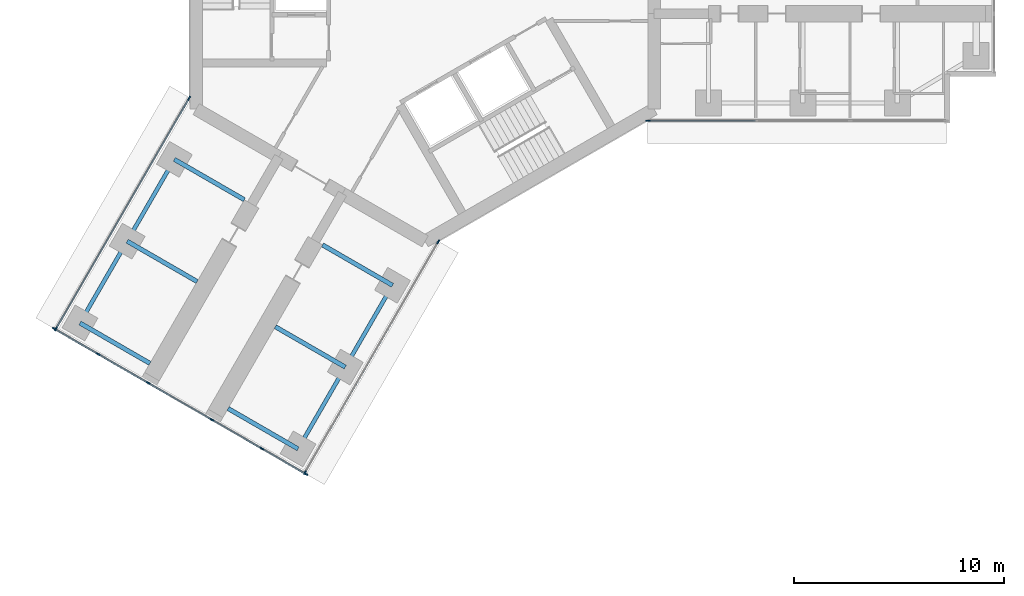
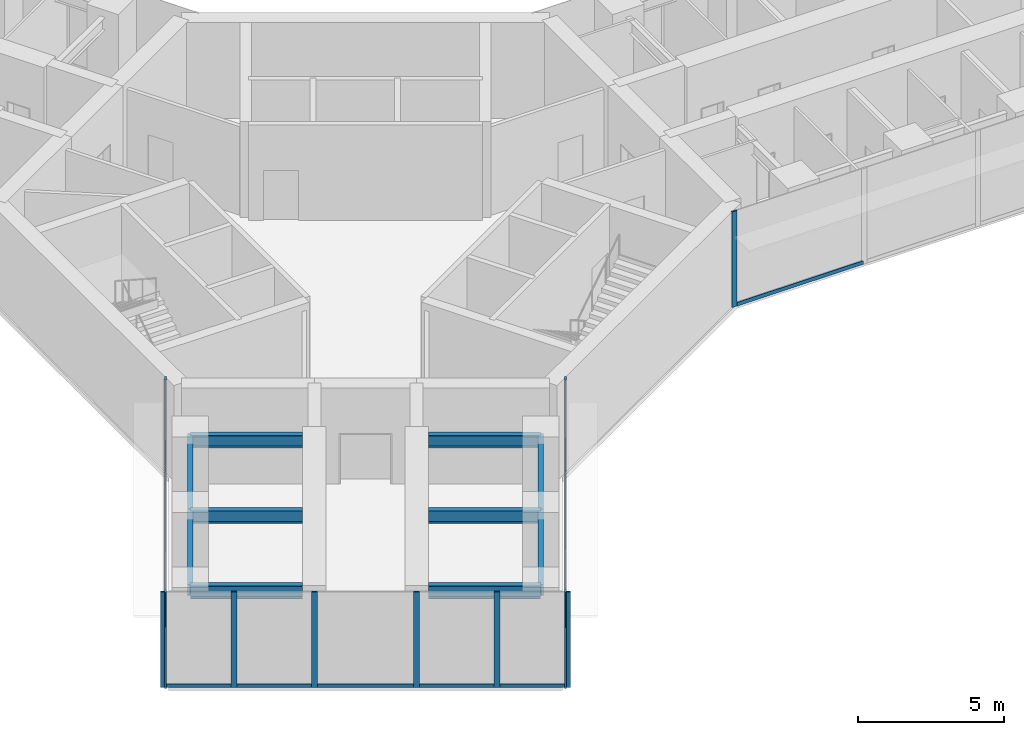
# One storey, part 2 of 23: 19 members, 10 beams, 4 elements without a shape of their own.
"""IFC4 building model written with IfcOpenShell, lengths in metres."""

from ifc_helpers import new_model, si_unit, direction, frame, origin, origin_2d, place, context, subcontext, project, spatial, rectangle, i_section, extrude, material, material_profile, profile_set, type_object, element, aggregate, save


model = new_model("IFC4")

# Units and contexts
model_context = context("Model", 3, precision=1e-05, world=origin(), true_north=direction((0.0, 1.0)))
body_context = subcontext(model_context, "Body", "Model", "MODEL_VIEW")
ifc_project = project(units=[si_unit("LENGTHUNIT", "METRE"), si_unit("AREAUNIT", "SQUARE_METRE"), si_unit("VOLUMEUNIT", "CUBIC_METRE"), si_unit("PLANEANGLEUNIT", "RADIAN"), si_unit("MASSUNIT", "GRAM", prefix="KILO")], contexts=[model_context])

# Site, building, storey
site_placement = place(None, origin())
site = spatial("IfcSite", under=ifc_project, at=site_placement, CompositionType="ELEMENT")
building_placement = place(site_placement, origin())
building = spatial("IfcBuilding", under=site, at=building_placement, Name="Upepo Twin Towers", CompositionType="ELEMENT")
storey_placement = place(building_placement, frame((0.0, 0.0, 161.5)))
storey = spatial("IfcBuildingStorey", under=building, at=storey_placement, Name="L39", CompositionType="ELEMENT", Elevation=161.5)

# Beams
ifc_material_1 = material(Name="Steel S355", Category="steel")
ifc_material_profile_1 = material_profile(ifc_material_1, i_section(OverallWidth=0.1904296875, OverallDepth=0.45703125, WebThickness=0.009033203125, FlangeThickness=0.014404296875, FilletRadius=0.01025390625, at=origin_2d()), Name="UB 457x191x74")
ifc_profile_set_1 = profile_set([ifc_material_profile_1], Name="Steel S355")
beam_type_1 = type_object("IfcBeamType", Name="Beam UB 457x191x74", PredefinedType="BEAM", material=ifc_profile_set_1)
beam_1_placement = place(storey_placement, frame((-1.553955078125, -14.69140625, 3.471435546875), z_axis=(-0.500013631625, -0.866017533419, 0.0), x_axis=(0.866017533419, -0.500013631625, 0.0)))
element("IfcBeam", 1, at=beam_1_placement, inside=storey, type_object=beam_type_1, Name="T1 edge beam CL 13.5-18.0", PredefinedType="BEAM", context=body_context, shape_type="SweptSolid", body=[
    extrude(i_section(OverallWidth=0.1904296875, OverallDepth=0.45703125, WebThickness=0.009033203125, FlangeThickness=0.014404296875, FilletRadius=0.01025390625, at=origin_2d()), origin(), (0.0, 0.0, 1.0), 4.499755859375),
])
beam_2_placement = place(storey_placement, frame((-3.803955078125, -18.58837890625, 3.471435546875), z_axis=(-0.499990139034, -0.866031096941, 0.0), x_axis=(0.866031096941, -0.499990139034, 0.0)))
element("IfcBeam", 2, at=beam_2_placement, inside=storey, type_object=beam_type_1, Name="T1 edge beam CL 18.0-22.5", PredefinedType="BEAM", context=body_context, shape_type="SweptSolid", body=[
    extrude(i_section(OverallWidth=0.1904296875, OverallDepth=0.45703125, WebThickness=0.009033203125, FlangeThickness=0.014404296875, FilletRadius=0.01025390625, at=origin_2d()), origin(), (0.0, 0.0, 1.0), 4.5),
])
beam_3_placement = place(storey_placement, frame((-11.946044921875, -8.69140625, 3.471435546875), z_axis=(-0.500013631625, -0.866017533419, 0.0), x_axis=(0.866017533419, -0.500013631625, 0.0)))
element("IfcBeam", 3, at=beam_3_placement, inside=storey, type_object=beam_type_1, Name="T1 edge beam CR 13.5-18.0", PredefinedType="BEAM", context=body_context, shape_type="SweptSolid", body=[
    extrude(i_section(OverallWidth=0.1904296875, OverallDepth=0.45703125, WebThickness=0.009033203125, FlangeThickness=0.014404296875, FilletRadius=0.01025390625, at=origin_2d()), origin(), (0.0, 0.0, 1.0), 4.499755859375),
])
beam_4_placement = place(storey_placement, frame((-14.196044921875, -12.58837890625, 3.471435546875), z_axis=(-0.499990139034, -0.866031096941, 0.0), x_axis=(0.866031096941, -0.499990139034, 0.0)))
element("IfcBeam", 4, at=beam_4_placement, inside=storey, type_object=beam_type_1, Name="T1 edge beam CR 18.0-22.5", PredefinedType="BEAM", context=body_context, shape_type="SweptSolid", body=[
    extrude(i_section(OverallWidth=0.1904296875, OverallDepth=0.45703125, WebThickness=0.009033203125, FlangeThickness=0.014404296875, FilletRadius=0.01025390625, at=origin_2d()), origin(), (0.0, 0.0, 1.0), 4.5),
])
ifc_material_2 = material(Name="Steel S355", Category="steel")
ifc_material_profile_2 = material_profile(ifc_material_2, i_section(OverallWidth=0.209228515625, OverallDepth=0.533203125, WebThickness=0.010009765625, FlangeThickness=0.015625, FilletRadius=0.0126953125, at=origin_2d()), Name="UB 533x210x92")
ifc_profile_set_2 = profile_set([ifc_material_profile_2], Name="Steel S355")
beam_type_2 = type_object("IfcBeamType", Name="Beam UB 533x210x92", PredefinedType="BEAM", material=ifc_profile_set_2)
beam_5_placement = place(storey_placement, frame((-1.553955078125, -14.69140625, 3.433349609375), z_axis=(-0.866006051527, 0.500033517596, 0.0), x_axis=(-0.500033517596, -0.866006051527, 0.0)))
element("IfcBeam", 5, at=beam_5_placement, inside=storey, type_object=beam_type_2, Name="T1 girder CL at 13.5", PredefinedType="BEAM", context=body_context, shape_type="SweptSolid", body=[
    extrude(i_section(OverallWidth=0.209228515625, OverallDepth=0.533203125, WebThickness=0.010009765625, FlangeThickness=0.015625, FilletRadius=0.0126953125, at=origin_2d()), origin(), (0.0, 0.0, 1.0), 3.849853515625),
])
beam_6_placement = place(storey_placement, frame((-3.803955078125, -18.58837890625, 3.433349609375), z_axis=(-0.866033512162, 0.499985955615, 0.0), x_axis=(-0.499985955615, -0.866033512162, 0.0)))
element("IfcBeam", 6, at=beam_6_placement, inside=storey, type_object=beam_type_2, Name="T1 girder CL at 18.0", PredefinedType="BEAM", context=body_context, shape_type="SweptSolid", body=[
    extrude(i_section(OverallWidth=0.209228515625, OverallDepth=0.533203125, WebThickness=0.010009765625, FlangeThickness=0.015625, FilletRadius=0.0126953125, at=origin_2d()), origin(), (0.0, 0.0, 1.0), 3.849609375),
])
for number, where, z_axis, x_axis, name in (
    (7, (-6.053955078125, -22.485595703125, 3.433349609375), (-0.866006051527, 0.500033517596, 0.0), (-0.500033517596, -0.866006051527, 0.0), "T1 girder CL at 22.5"),
    (8, (-11.946044921875, -8.69140625, 3.433349609375), (0.866006051527, -0.500033517596, 0.0), (0.500033517596, 0.866006051527, 0.0), "T1 girder CR at 13.5"),
    (9, (-14.196044921875, -12.58837890625, 3.433349609375), (0.866006051527, -0.500033517596, 0.0), (0.500033517596, 0.866006051527, 0.0), "T1 girder CR at 18.0"),
    (10, (-16.446044921875, -16.485595703125, 3.433349609375), (0.866006051527, -0.500033517596, 0.0), (0.500033517596, 0.866006051527, 0.0), "T1 girder CR at 22.5"),
):
    element("IfcBeam", number, at=place(storey_placement, frame(where, z_axis=z_axis, x_axis=x_axis)), inside=storey, type_object=beam_type_2, Name=name, PredefinedType="BEAM", context=body_context, shape_type="SweptSolid", body=[
        extrude(i_section(OverallWidth=0.209228515625, OverallDepth=0.533203125, WebThickness=0.010009765625, FlangeThickness=0.015625, FilletRadius=0.0126953125, at=origin_2d()), origin(), (0.0, 0.0, 1.0), 3.849853515625),
    ])

# Curtain wall, member
ifc_material_3 = material(Name="Aluminium and fritted glass", Category="aluminium")
curtain_wall_type = type_object("IfcCurtainWallType", Name="Tower curtain wall TW2, fritted glass", PredefinedType="NOTDEFINED", material=ifc_material_3)
curtain_wall_1_placement = place(storey_placement, origin())
curtain_wall_1 = element("IfcCurtainWall", 11, at=curtain_wall_1_placement, inside=storey, type_object=curtain_wall_type, Name="T1 L39 wing A flank R curtain wall", PredefinedType="NOTDEFINED")
ifc_material_4 = material(Name="Aluminium mullion", Category="aluminium")
ifc_material_profile_3 = material_profile(ifc_material_4, rectangle(XDim=0.06494140625, YDim=0.199951171875, at=origin_2d()), Name="MULLION 65x200")
ifc_profile_set_3 = profile_set([ifc_material_profile_3], Name="Aluminium mullion")
member_type_1 = type_object("IfcMemberType", Name="Mullion 65x200 TW2", PredefinedType="MULLION", material=ifc_profile_set_3)
member_1_placement = place(storey_placement, frame((10.61962890625, -6.85009765625, 0.0), z_axis=(0.0, 0.0, 1.0), x_axis=(0.0, -1.0, 0.0)))
member_1 = element("IfcMember", 12, at=member_1_placement, type_object=member_type_1, Name="T1 L39 wing A flank R curtain wall mullion 4", PredefinedType="MULLION", context=body_context, shape_type="SweptSolid", body=[
    extrude(rectangle(XDim=0.06494140625, YDim=0.199951171875, at=origin_2d()), origin(), (0.0, 0.0, 1.0), 4.0),
])

# Curtain wall, members
curtain_wall_2_placement = place(storey_placement, origin())
curtain_wall_2 = element("IfcCurtainWall", 13, at=curtain_wall_2_placement, inside=storey, type_object=curtain_wall_type, Name="T1 L39 wing C flank L curtain wall", PredefinedType="NOTDEFINED")
member_2_placement = place(storey_placement, frame((0.62255859375, -12.621826171875, 0.0), z_axis=(0.0, 0.0, 1.0), x_axis=(0.866025399212, -0.50000000792, 0.0)))
member_2 = element("IfcMember", 14, at=member_2_placement, type_object=member_type_1, Name="T1 L39 wing C flank L curtain wall mullion 1", PredefinedType="MULLION", context=body_context, shape_type="SweptSolid", body=[
    extrude(rectangle(XDim=0.06494140625, YDim=0.199951171875, at=origin_2d()), origin(), (0.0, 0.0, 1.0), 4.0),
])
member_3_placement = place(storey_placement, frame((-5.7265625, -23.61865234375, 0.0), z_axis=(0.0, 0.0, 1.0), x_axis=(0.866025399212, -0.50000000792, 0.0)))
member_3 = element("IfcMember", 15, at=member_3_placement, type_object=member_type_1, Name="T1 L39 wing C flank L curtain wall mullion 2", PredefinedType="MULLION", context=body_context, shape_type="SweptSolid", body=[
    extrude(rectangle(XDim=0.06494140625, YDim=0.199951171875, at=origin_2d()), origin(), (0.0, 0.0, 1.0), 4.0),
])

curtain_wall_3_placement = place(storey_placement, origin())
curtain_wall_3 = element("IfcCurtainWall", 16, at=curtain_wall_3_placement, inside=storey, type_object=curtain_wall_type, Name="T1 L39 wing C flank R curtain wall", PredefinedType="NOTDEFINED")
member_4_placement = place(storey_placement, frame((-17.591064453125, -16.7685546875, 0.0), z_axis=(0.0, 0.0, 1.0), x_axis=(-0.866025399212, 0.50000000792, 0.0)))
member_4 = element("IfcMember", 17, at=member_4_placement, type_object=member_type_1, Name="T1 L39 wing C flank R curtain wall mullion 1", PredefinedType="MULLION", context=body_context, shape_type="SweptSolid", body=[
    extrude(rectangle(XDim=0.06494140625, YDim=0.199951171875, at=origin_2d()), origin(), (0.0, 0.0, 1.0), 4.0),
])
member_5_placement = place(storey_placement, frame((-11.2421875, -5.77197265625, 0.0), z_axis=(0.0, 0.0, 1.0), x_axis=(-0.866025399212, 0.50000000792, 0.0)))
member_5 = element("IfcMember", 18, at=member_5_placement, type_object=member_type_1, Name="T1 L39 wing C flank R curtain wall mullion 2", PredefinedType="MULLION", context=body_context, shape_type="SweptSolid", body=[
    extrude(rectangle(XDim=0.06494140625, YDim=0.199951171875, at=origin_2d()), origin(), (0.0, 0.0, 1.0), 4.0),
])

curtain_wall_4_placement = place(storey_placement, origin())
curtain_wall_4 = element("IfcCurtainWall", 19, at=curtain_wall_4_placement, inside=storey, type_object=curtain_wall_type, Name="T1 L39 wing C nose curtain wall", PredefinedType="NOTDEFINED")
member_6_placement = place(storey_placement, frame((-17.665771484375, -16.762939453125, 0.0), z_axis=(0.0, 0.0, 1.0), x_axis=(0.499999972355, 0.866025419745, 0.0)))
member_6 = element("IfcMember", 20, at=member_6_placement, type_object=member_type_1, Name="T1 L39 wing C nose curtain wall mullion 1", PredefinedType="MULLION", context=body_context, shape_type="SweptSolid", body=[
    extrude(rectangle(XDim=0.06494140625, YDim=0.199951171875, at=origin_2d()), origin(), (0.0, 0.0, 1.0), 4.0),
])
member_7_placement = place(storey_placement, frame((-15.572021484375, -17.9716796875, 0.0), z_axis=(0.0, 0.0, 1.0), x_axis=(0.499999972355, 0.866025419745, 0.0)))
member_7 = element("IfcMember", 21, at=member_7_placement, type_object=member_type_1, Name="T1 L39 wing C nose curtain wall mullion 2", PredefinedType="MULLION", context=body_context, shape_type="SweptSolid", body=[
    extrude(rectangle(XDim=0.06494140625, YDim=0.199951171875, at=origin_2d()), origin(), (0.0, 0.0, 1.0), 4.0),
])
member_8_placement = place(storey_placement, frame((-13.1904296875, -19.3466796875, 0.0), z_axis=(0.0, 0.0, 1.0), x_axis=(0.499999972355, 0.866025419745, 0.0)))
member_8 = element("IfcMember", 22, at=member_8_placement, type_object=member_type_1, Name="T1 L39 wing C nose curtain wall mullion 3", PredefinedType="MULLION", context=body_context, shape_type="SweptSolid", body=[
    extrude(rectangle(XDim=0.06494140625, YDim=0.199951171875, at=origin_2d()), origin(), (0.0, 0.0, 1.0), 4.0),
])
member_9_placement = place(storey_placement, frame((-10.159423828125, -21.0966796875, 0.0), z_axis=(0.0, 0.0, 1.0), x_axis=(0.499999972355, 0.866025419745, 0.0)))
member_9 = element("IfcMember", 23, at=member_9_placement, type_object=member_type_1, Name="T1 L39 wing C nose curtain wall mullion 4", PredefinedType="MULLION", context=body_context, shape_type="SweptSolid", body=[
    extrude(rectangle(XDim=0.06494140625, YDim=0.199951171875, at=origin_2d()), origin(), (0.0, 0.0, 1.0), 4.0),
])
member_10_placement = place(storey_placement, frame((-7.77783203125, -22.4716796875, 0.0), z_axis=(0.0, 0.0, 1.0), x_axis=(0.499999972355, 0.866025419745, 0.0)))
member_10 = element("IfcMember", 24, at=member_10_placement, type_object=member_type_1, Name="T1 L39 wing C nose curtain wall mullion 5", PredefinedType="MULLION", context=body_context, shape_type="SweptSolid", body=[
    extrude(rectangle(XDim=0.06494140625, YDim=0.199951171875, at=origin_2d()), origin(), (0.0, 0.0, 1.0), 4.0),
])
member_11_placement = place(storey_placement, frame((-5.684326171875, -23.680419921875, 0.0), z_axis=(0.0, 0.0, 1.0), x_axis=(0.499999972355, 0.866025419745, 0.0)))
member_11 = element("IfcMember", 25, at=member_11_placement, type_object=member_type_1, Name="T1 L39 wing C nose curtain wall mullion 6", PredefinedType="MULLION", context=body_context, shape_type="SweptSolid", body=[
    extrude(rectangle(XDim=0.06494140625, YDim=0.199951171875, at=origin_2d()), origin(), (0.0, 0.0, 1.0), 4.0),
])

# Member
ifc_material_5 = material(Name="Aluminium transom", Category="aluminium")
ifc_material_profile_4 = material_profile(ifc_material_5, rectangle(XDim=0.06494140625, YDim=0.14990234375, at=origin_2d()), Name="TRANSOM 65x150")
ifc_profile_set_4 = profile_set([ifc_material_profile_4], Name="Aluminium transom")
member_type_2 = type_object("IfcMemberType", Name="Transom 65x150 TW2", PredefinedType="USERDEFINED", material=ifc_profile_set_4)
member_12_placement = place(storey_placement, frame((15.717529296875, -6.85009765625, 0.074951171875), z_axis=(-1.0, 0.0, 0.0), x_axis=(0.0, -1.0, 0.0)))
member_12 = element("IfcMember", 26, at=member_12_placement, type_object=member_type_2, Name="T1 L39 wing A flank R curtain wall transom 3", ObjectType="TRANSOM", PredefinedType="USERDEFINED", context=body_context, shape_type="SweptSolid", body=[
    extrude(rectangle(XDim=0.06494140625, YDim=0.14990234375, at=origin_2d()), origin(), (0.0, 0.0, 1.0), 5.0654296875),
])

aggregate(curtain_wall_1, [member_1, member_12])

member_13_placement = place(storey_placement, frame((0.606201171875, -12.64990234375, 0.074951171875), z_axis=(-0.499996807431, -0.866027247007, 0.0), x_axis=(0.866027247007, -0.499996807431, 0.0)))
member_13 = element("IfcMember", 27, at=member_13_placement, type_object=member_type_2, Name="T1 L39 wing C flank L curtain wall transom 1", ObjectType="TRANSOM", PredefinedType="USERDEFINED", context=body_context, shape_type="SweptSolid", body=[
    extrude(rectangle(XDim=0.06494140625, YDim=0.14990234375, at=origin_2d()), origin(), (0.0, 0.0, 1.0), 12.6328125),
])

aggregate(curtain_wall_2, [member_2, member_3, member_13])

member_14_placement = place(storey_placement, frame((-17.57470703125, -16.740478515625, 0.074951171875), z_axis=(0.499996807431, 0.866027247007, 0.0), x_axis=(-0.866027247007, 0.499996807431, 0.0)))
member_14 = element("IfcMember", 28, at=member_14_placement, type_object=member_type_2, Name="T1 L39 wing C flank R curtain wall transom 1", ObjectType="TRANSOM", PredefinedType="USERDEFINED", context=body_context, shape_type="SweptSolid", body=[
    extrude(rectangle(XDim=0.06494140625, YDim=0.14990234375, at=origin_2d()), origin(), (0.0, 0.0, 1.0), 12.6328125),
])

aggregate(curtain_wall_3, [member_4, member_5, member_14])

member_15_placement = place(storey_placement, frame((-17.6376953125, -16.779296875, 0.074951171875), z_axis=(0.866069800327, -0.499923095048, 0.0), x_axis=(0.499923095048, 0.866069800327, 0.0)))
member_15 = element("IfcMember", 29, at=member_15_placement, type_object=member_type_2, Name="T1 L39 wing C nose curtain wall transom 1", ObjectType="TRANSOM", PredefinedType="USERDEFINED", context=body_context, shape_type="SweptSolid", body=[
    extrude(rectangle(XDim=0.06494140625, YDim=0.14990234375, at=origin_2d()), origin(), (0.0, 0.0, 1.0), 2.352294921875),
])

member_16_placement = place(storey_placement, frame((-15.5439453125, -17.988037109375, 0.074951171875), z_axis=(0.8660523339, -0.49995335277, 0.0), x_axis=(0.49995335277, 0.8660523339, 0.0)))
member_16 = element("IfcMember", 30, at=member_16_placement, type_object=member_type_2, Name="T1 L39 wing C nose curtain wall transom 2", ObjectType="TRANSOM", PredefinedType="USERDEFINED", context=body_context, shape_type="SweptSolid", body=[
    extrude(rectangle(XDim=0.06494140625, YDim=0.14990234375, at=origin_2d()), origin(), (0.0, 0.0, 1.0), 2.684814453125),
])

member_17_placement = place(storey_placement, frame((-13.162353515625, -19.363037109375, 0.074951171875), z_axis=(0.866056579774, -0.499945997713, 0.0), x_axis=(0.499945997713, 0.866056579774, 0.0)))
member_17 = element("IfcMember", 31, at=member_17_placement, type_object=member_type_2, Name="T1 L39 wing C nose curtain wall transom 3", ObjectType="TRANSOM", PredefinedType="USERDEFINED", context=body_context, shape_type="SweptSolid", body=[
    extrude(rectangle(XDim=0.06494140625, YDim=0.14990234375, at=origin_2d()), origin(), (0.0, 0.0, 1.0), 3.43505859375),
])

member_18_placement = place(storey_placement, frame((-10.13134765625, -21.113037109375, 0.074951171875), z_axis=(0.8660523339, -0.49995335277, 0.0), x_axis=(0.49995335277, 0.8660523339, 0.0)))
member_18 = element("IfcMember", 32, at=member_18_placement, type_object=member_type_2, Name="T1 L39 wing C nose curtain wall transom 4", ObjectType="TRANSOM", PredefinedType="USERDEFINED", context=body_context, shape_type="SweptSolid", body=[
    extrude(rectangle(XDim=0.06494140625, YDim=0.14990234375, at=origin_2d()), origin(), (0.0, 0.0, 1.0), 2.684814453125),
])

member_19_placement = place(storey_placement, frame((-7.749755859375, -22.488037109375, 0.074951171875), z_axis=(0.866024864377, -0.50000093428, 0.0), x_axis=(0.50000093428, 0.866024864377, 0.0)))
member_19 = element("IfcMember", 33, at=member_19_placement, type_object=member_type_2, Name="T1 L39 wing C nose curtain wall transom 5", ObjectType="TRANSOM", PredefinedType="USERDEFINED", context=body_context, shape_type="SweptSolid", body=[
    extrude(rectangle(XDim=0.06494140625, YDim=0.14990234375, at=origin_2d()), origin(), (0.0, 0.0, 1.0), 2.3525390625),
])

aggregate(curtain_wall_4, [member_6, member_7, member_8, member_9, member_10, member_11, member_15, member_16, member_17, member_18, member_19])

save(model, "model.ifc")
